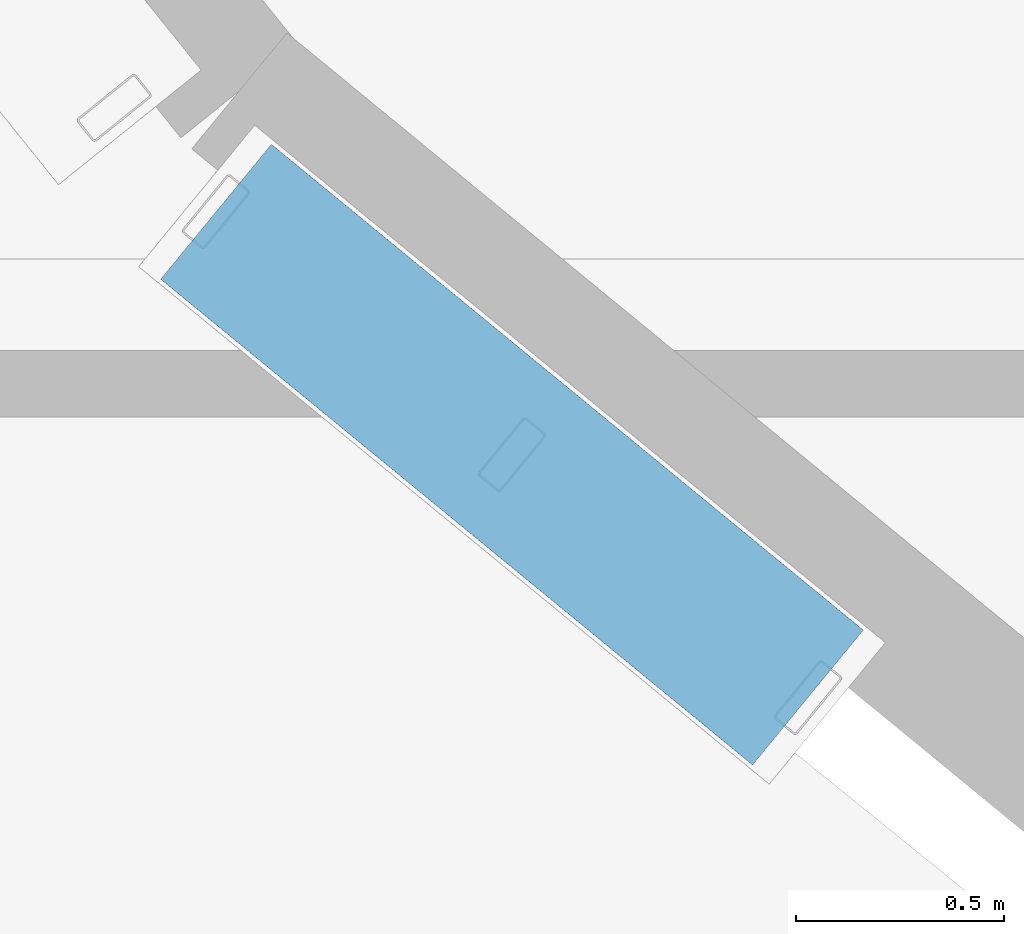
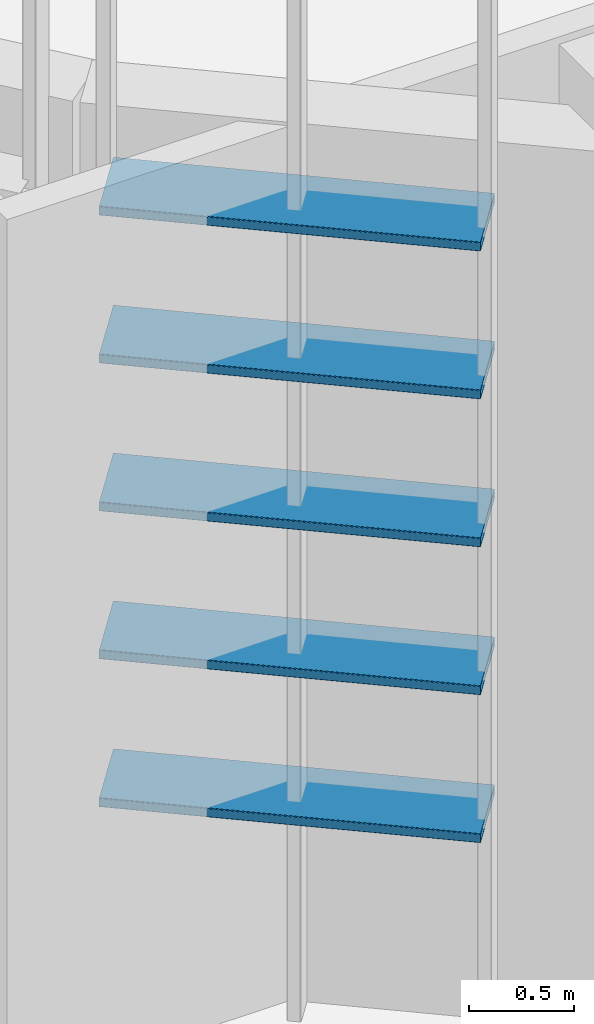
# One storey, part 182 of 372: 5 members.
"""IFC4 building model written with IfcOpenShell, lengths in metres."""

from ifc_helpers import new_model, si_unit, direction, frame, origin, origin_2d, place, context, subcontext, project, spatial, hollow_rectangle, extrude, material, material_profile, profile_set, type_object, element, save


model = new_model("IFC4")

# Units and contexts
model_context = context("Model", 3, precision=1e-05, world=origin(), true_north=direction((0.0, 1.0)))
body_context = subcontext(model_context, "Body", "Model", "MODEL_VIEW")
ifc_project = project(units=[si_unit("LENGTHUNIT", "METRE"), si_unit("AREAUNIT", "SQUARE_METRE"), si_unit("VOLUMEUNIT", "CUBIC_METRE"), si_unit("PLANEANGLEUNIT", "RADIAN"), si_unit("MASSUNIT", "GRAM", prefix="KILO")], contexts=[model_context])

# Site, building, storey
site_placement = place(None, origin())
site = spatial("IfcSite", under=ifc_project, at=site_placement, CompositionType="ELEMENT")
building_placement = place(site_placement, origin())
building = spatial("IfcBuilding", under=site, at=building_placement, Name="Kaelora Sail Theatre", CompositionType="ELEMENT")
storey_placement = place(building_placement, origin())
storey = spatial("IfcBuildingStorey", under=building, at=storey_placement, Name="L00", CompositionType="ELEMENT", Elevation=0.0)

# Members
ifc_material = material(Name="Anodised aluminium 6063-T6", Category="aluminium")
ifc_material_profile = material_profile(ifc_material, hollow_rectangle(XDim=0.419921875, YDim=0.054931640625, WallThickness=0.00390625, InnerFilletRadius=0.00390625, OuterFilletRadius=0.008056640625, at=origin_2d()), Name="LOUVRE 420x55x4")
ifc_profile_set = profile_set([ifc_material_profile], Name="Anodised aluminium 6063-T6")
member_type = type_object("IfcMemberType", Name="ARC-MEM-LVR-420", PredefinedType="USERDEFINED", material=ifc_profile_set)
for number, where, z_axis, x_axis, name in (
    (1, (85.054443359375, 33.045654296875, 1.25), (-0.773004989186, 0.634399942223, 0.0), (-0.634399942223, -0.773004989186, 0.0), "Studio Theatre Sail Drum horizontal solar louvre C13-01"),
    (2, (85.054443359375, 33.045654296875, 2.110107421875), (-0.773004989186, 0.634399942223, 0.0), (-0.634399942223, -0.773004989186, 0.0), "Studio Theatre Sail Drum horizontal solar louvre C13-02"),
    (3, (85.054443359375, 33.045654296875, 2.969970703125), (-0.773004989186, 0.634399942223, 0.0), (-0.634399942223, -0.773004989186, 0.0), "Studio Theatre Sail Drum horizontal solar louvre C13-03"),
    (4, (85.054443359375, 33.045654296875, 3.830078125), (-0.773004989186, 0.634399942223, 0.0), (-0.634399942223, -0.773004989186, 0.0), "Studio Theatre Sail Drum horizontal solar louvre C13-04"),
    (5, (85.054443359375, 33.045654296875, 4.68994140625), (-0.773004989186, 0.634399942223, 0.0), (-0.634399942223, -0.773004989186, 0.0), "Studio Theatre Sail Drum horizontal solar louvre C13-05"),
):
    element("IfcMember", number, at=place(storey_placement, frame(where, z_axis=z_axis, x_axis=x_axis)), inside=storey, type_object=member_type, Name=name, ObjectType="LOUVRE", PredefinedType="USERDEFINED", context=body_context, shape_type="SweptSolid", body=[
        extrude(hollow_rectangle(XDim=0.419921875, YDim=0.054931640625, WallThickness=0.00390625, InnerFilletRadius=0.00390625, OuterFilletRadius=0.008056640625, at=origin_2d()), origin(), (0.0, 0.0, 1.0), 1.840576171875),
    ])

save(model, "model.ifc")
